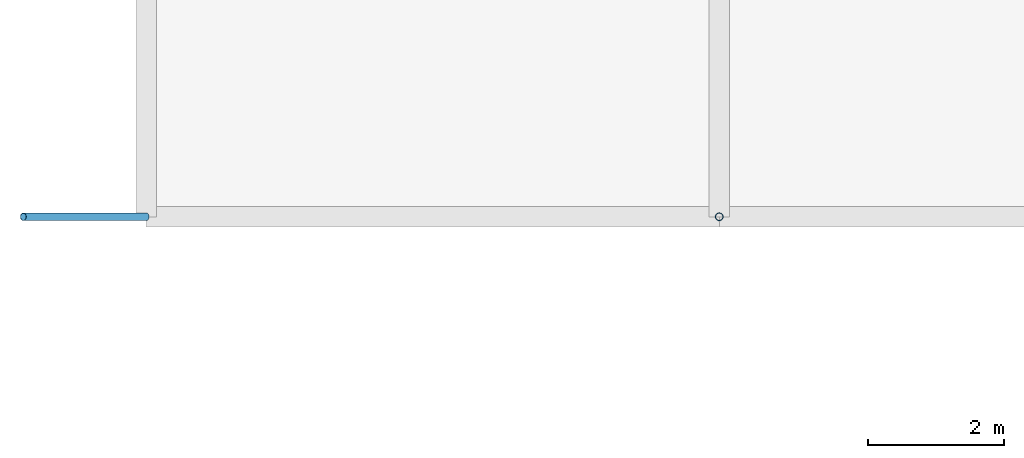
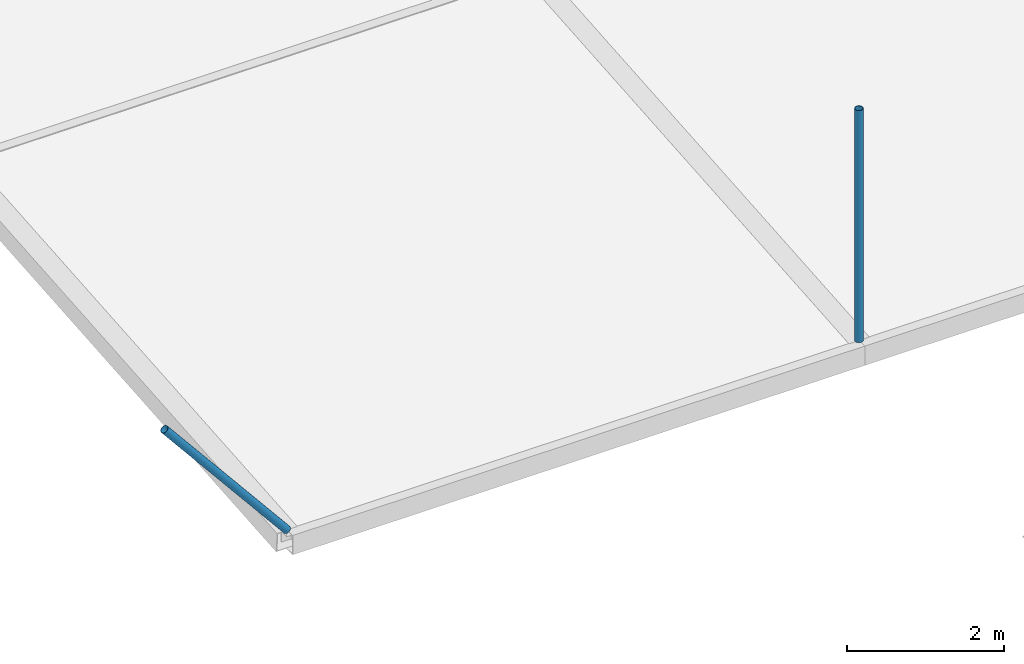
# One storey, part 5 of 37: 2 discrete accessories.
"""IFC4 building model written with IfcOpenShell, lengths in metres."""

from ifc_helpers import new_model, si_unit, direction, frame, origin, origin_2d, place, context, subcontext, project, spatial, hollow_circle, extrude, material, material_profile, profile_set, type_object, element, save


model = new_model("IFC4")

# Units and contexts
model_context = context("Model", 3, precision=1e-05, world=origin(), true_north=direction((0.0, 1.0)))
body_context = subcontext(model_context, "Body", "Model", "MODEL_VIEW")
ifc_project = project(units=[si_unit("LENGTHUNIT", "METRE"), si_unit("AREAUNIT", "SQUARE_METRE"), si_unit("VOLUMEUNIT", "CUBIC_METRE"), si_unit("PLANEANGLEUNIT", "RADIAN"), si_unit("MASSUNIT", "GRAM", prefix="KILO")], contexts=[model_context])

# Site, building, storey
site_placement = place(None, origin())
site = spatial("IfcSite", under=ifc_project, at=site_placement, CompositionType="ELEMENT")
building_placement = place(site_placement, origin())
building = spatial("IfcBuilding", under=site, at=building_placement, Name="Rain Tree Exposition and Congress Centre", CompositionType="ELEMENT")
storey_placement = place(building_placement, frame((0.0, 0.0, 25.0)))
storey = spatial("IfcBuildingStorey", under=building, at=storey_placement, Name="ROOF VAULT LOW", CompositionType="ELEMENT", Elevation=25.0)

# Discrete accessories
ifc_material = material(Name="Steel S355J2H", Category="steel")
ifc_material_profile = material_profile(ifc_material, hollow_circle(Radius=0.05712890625, WallThickness=0.00439453125, at=origin_2d()), Name="CHS 114x4.5")
ifc_profile_set = profile_set([ifc_material_profile], Name="Steel S355J2H")
discrete_accessory_type = type_object("IfcDiscreteAccessoryType", Name="Roof skin post CHS 114x4.5", PredefinedType="BRACKET", material=ifc_profile_set)
discrete_accessory_1_placement = place(storey_placement, frame((8.39990234375, 134.39990234375, 0.4892578125), z_axis=(-0.634934092696, 0.0, 0.772566306495), x_axis=(0.0, -1.0, 0.0)))
element("IfcDiscreteAccessory", 1, at=discrete_accessory_1_placement, inside=storey, type_object=discrete_accessory_type, Name="Roof skin post A61", PredefinedType="BRACKET", context=body_context, shape_type="SweptSolid", body=[
    extrude(hollow_circle(Radius=0.05712890625, WallThickness=0.00439453125, at=origin_2d()), origin(), (0.0, 0.0, 1.0), 2.834716796875),
])
discrete_accessory_2_placement = place(storey_placement, frame((16.800048828125, 134.39990234375, 0.4892578125), z_axis=(0.0, 0.0, 1.0), x_axis=(1.0, 0.0, 0.0)))
element("IfcDiscreteAccessory", 2, at=discrete_accessory_2_placement, inside=storey, type_object=discrete_accessory_type, Name="Roof skin post A62", PredefinedType="BRACKET", context=body_context, shape_type="SweptSolid", body=[
    extrude(hollow_circle(Radius=0.05712890625, WallThickness=0.00439453125, at=origin_2d()), origin(), (0.0, 0.0, 1.0), 3.602294921875),
])

save(model, "model.ifc")
